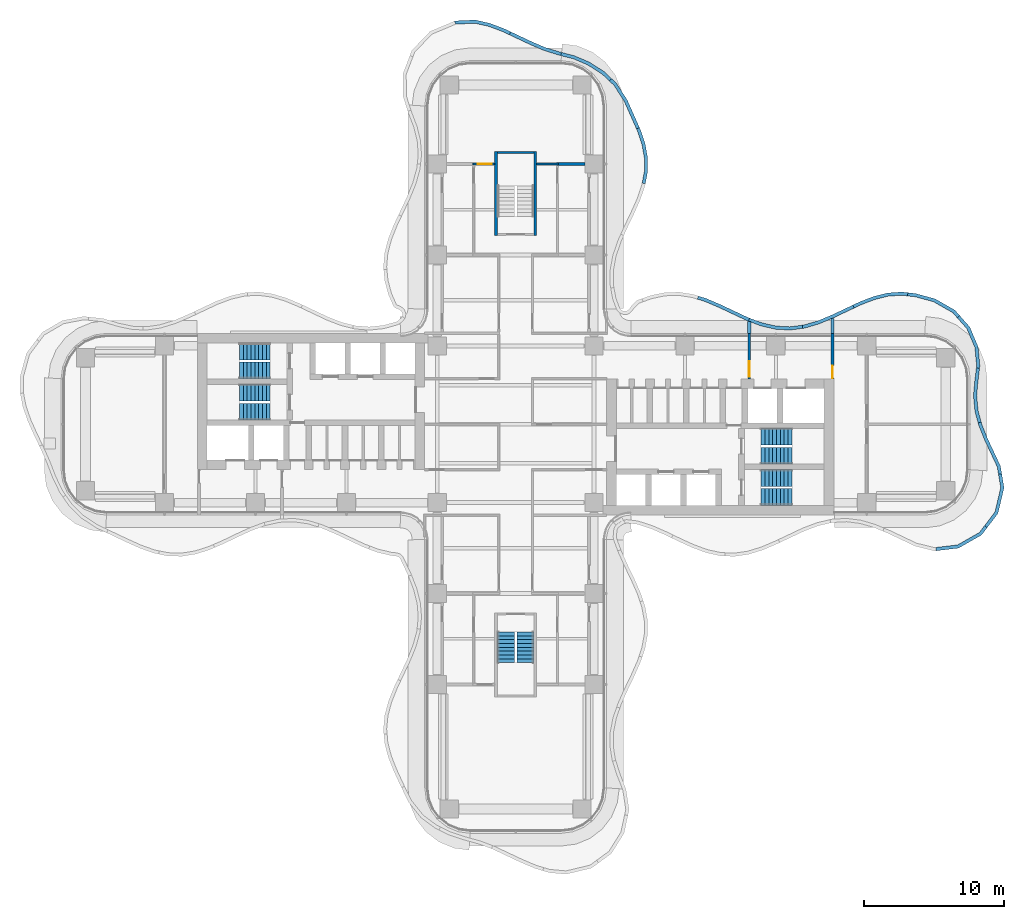
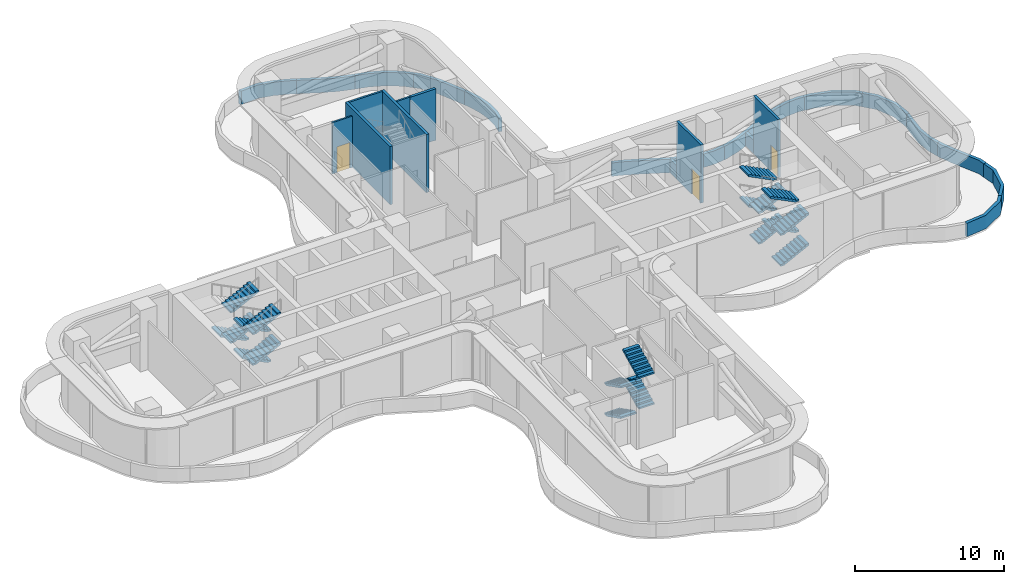
# One storey, part 17 of 20: 25 walls, 19 stair flights, 3 doors, 3 openings, 5 elements without a shape of their own.
"""IFC4 building model written with IfcOpenShell, lengths in metres."""

from ifc_helpers import new_model, si_unit, direction, frame, frame_2d, origin, place, context, subcontext, project, spatial, polyline, rectangle, outline, extrude, source, transform, mapped, material, layer, layer_set, type_object, element, fill, aggregate, save


model = new_model("IFC4")

# Units and contexts
model_context = context("Model", 3, precision=1e-05, world=origin(), true_north=direction((0.0, 1.0)))
body_context = subcontext(model_context, "Body", "Model", "MODEL_VIEW")
ifc_project = project(units=[si_unit("LENGTHUNIT", "METRE"), si_unit("AREAUNIT", "SQUARE_METRE"), si_unit("VOLUMEUNIT", "CUBIC_METRE"), si_unit("PLANEANGLEUNIT", "RADIAN"), si_unit("MASSUNIT", "GRAM", prefix="KILO")], contexts=[model_context])

# Site, building, storey
site_placement = place(None, origin())
site = spatial("IfcSite", under=ifc_project, at=site_placement, CompositionType="ELEMENT")
building_placement = place(site_placement, origin())
building = spatial("IfcBuilding", under=site, at=building_placement, Name="Trellis Farm Tower", CompositionType="ELEMENT")
storey_placement = place(building_placement, frame((0.0, 0.0, 92.5)))
storey = spatial("IfcBuildingStorey", under=building, at=storey_placement, Name="L19", CompositionType="ELEMENT", Elevation=92.5)

# Walls
ifc_material_1 = material(Name="Sandstone faced insulated wall", Category="masonry")
ifc_layer_1 = layer(ifc_material_1, 0.22509765625)
ifc_layer_set_1 = layer_set([ifc_layer_1], Name="PARAPET WALL 225")
wall_type_1 = type_object("IfcWallType", Name="PARAPET WALL 225", PredefinedType="PARAPET", material=ifc_layer_set_1)
wall_1_placement = place(storey_placement, frame((22.64990234375, 6.5, 0.0), z_axis=(0.0, 0.0, 1.0), x_axis=(0.0, 1.0, 0.0)))
element("IfcWall", 1, at=wall_1_placement, inside=storey, type_object=wall_type_1, Name="EW3 R01", PredefinedType="PARAPET", context=body_context, shape_type="SweptSolid", body=[
    extrude(rectangle(XDim=1.07568359375, YDim=0.22509765625, at=frame_2d((0.537841796875, 0.0))), origin(), (0.0, 0.0, 1.0), 1.10009765625),
])
wall_2_placement = place(storey_placement, frame((16.699951171875, 6.5, 0.0), z_axis=(0.0, 0.0, 1.0), x_axis=(0.0, 1.0, 0.0)))
element("IfcWall", 2, at=wall_2_placement, inside=storey, type_object=wall_type_1, Name="EW3 R02", PredefinedType="PARAPET", context=body_context, shape_type="SweptSolid", body=[
    extrude(rectangle(XDim=0.84228515625, YDim=0.22509765625, at=frame_2d((0.421142578125, 0.0))), origin(), (0.0, 0.0, 1.0), 1.10009765625),
])
placement = place(storey_placement, origin())
element("IfcWall", 3, at=placement, inside=storey, type_object=wall_type_1, Name="Parapet", PredefinedType="PARAPET", context=body_context, shape_type="SweptSolid", body=[
    extrude(outline(polyline([(-4.37548828125, 28.818115234375), (-4.353759765625, 28.8271484375), (-4.292724609375, 28.83837890625), (-2.914794921875, 28.90185546875), (-2.873779296875, 28.898193359375), (-1.8505859375, 28.6669921875), (-0.861572265625, 28.29736328125), (-0.355712890625, 28.05908203125), (-0.455810546875, 27.846435546875), (-0.957275390625, 28.08251953125), (-1.93017578125, 28.445556640625), (-2.919921875, 28.666259765625), (-4.278076171875, 28.603271484375), (-4.284912109375, 28.6005859375), (-4.37548828125, 28.818115234375)])), origin(), (0.0, 0.0, 1.0), 1.10009765625),
])
element("IfcWall", 4, at=placement, inside=storey, type_object=wall_type_1, Name="Parapet", PredefinedType="PARAPET", context=body_context, shape_type="SweptSolid", body=[
    extrude(outline(polyline([(-0.355712890625, 28.05908203125), (1.11328125, 27.3671875), (2.0966796875, 26.944091796875), (3.129150390625, 26.62353515625), (3.27880859375, 26.584716796875), (3.2197265625, 26.357421875), (3.05908203125, 26.399169921875), (2.009765625, 26.725830078125), (1.014892578125, 27.15380859375), (-0.455810546875, 27.846435546875), (-0.355712890625, 28.05908203125)])), origin(), (0.0, 0.0, 1.0), 1.10009765625),
])
element("IfcWall", 5, at=placement, inside=storey, type_object=wall_type_1, Name="Parapet", PredefinedType="PARAPET", context=body_context, shape_type="SweptSolid", body=[
    extrude(outline(polyline([(3.27880859375, 26.584716796875), (4.199951171875, 26.345458984375), (5.255859375, 25.8955078125), (6.298095703125, 25.23681640625), (6.851806640625, 24.71826171875), (6.691650390625, 24.547607421875), (6.162841796875, 25.044189453125), (5.159912109375, 25.680419921875), (4.13232421875, 26.1201171875), (3.2197265625, 26.357421875), (3.27880859375, 26.584716796875)])), origin(), (0.0, 0.0, 1.0), 1.10009765625),
])
element("IfcWall", 6, at=placement, inside=storey, type_object=wall_type_1, Name="Parapet", PredefinedType="PARAPET", context=body_context, shape_type="SweptSolid", body=[
    extrude(outline(polyline([(6.851806640625, 24.71826171875), (7.197021484375, 24.39501953125), (7.97900390625, 23.176513671875), (8.848876953125, 21.214111328125), (8.634033203125, 21.118896484375), (7.767578125, 23.0732421875), (7.025390625, 24.23388671875), (6.691650390625, 24.547607421875), (6.851806640625, 24.71826171875)])), origin(), (0.0, 0.0, 1.0), 1.10009765625),
])
element("IfcWall", 7, at=placement, inside=storey, type_object=wall_type_1, Name="Parapet", PredefinedType="PARAPET", context=body_context, shape_type="SweptSolid", body=[
    extrude(outline(polyline([(8.848876953125, 21.214111328125), (8.935546875, 21.0185546875), (9.26318359375, 20.02880859375), (9.43701171875, 19.03662109375), (9.4306640625, 18.037841796875), (9.273193359375, 17.19921875), (9.042236328125, 17.2431640625), (9.19580078125, 18.05029296875), (9.20361328125, 19.0068359375), (9.037353515625, 19.96337890625), (8.718505859375, 20.928466796875), (8.634033203125, 21.118896484375), (8.848876953125, 21.214111328125)])), origin(), (0.0, 0.0, 1.0), 1.10009765625),
])
element("IfcWall", 8, at=placement, inside=storey, type_object=wall_type_1, Name="Parapet", PredefinedType="PARAPET", context=body_context, shape_type="SweptSolid", body=[
    extrude(outline(polyline([(13.068603515625, 9.16552734375), (13.6494140625, 8.981689453125), (14.668212890625, 8.5439453125), (16.6416015625, 7.614990234375), (16.722412109375, 7.5849609375), (16.640380859375, 7.364990234375), (16.546142578125, 7.400146484375), (14.570068359375, 8.330322265625), (13.57275390625, 8.75927734375), (12.997802734375, 8.941650390625), (13.068603515625, 9.16552734375)])), origin(), (0.0, 0.0, 1.0), 1.10009765625),
])
element("IfcWall", 9, at=placement, inside=storey, type_object=wall_type_1, Name="Parapet", PredefinedType="PARAPET", context=body_context, shape_type="SweptSolid", body=[
    extrude(outline(polyline([(16.722412109375, 7.5849609375), (17.62646484375, 7.24853515625), (18.6123046875, 7.021728515625), (19.604736328125, 6.96728515625), (20.486083984375, 7.08251953125), (20.51708984375, 6.8505859375), (19.63720703125, 6.7333984375), (18.6015625, 6.785888671875), (17.5517578125, 7.025634765625), (16.640380859375, 7.364990234375), (16.722412109375, 7.5849609375)])), origin(), (0.0, 0.0, 1.0), 1.10009765625),
])
element("IfcWall", 10, at=placement, inside=storey, type_object=wall_type_1, Name="Parapet", PredefinedType="PARAPET", context=body_context, shape_type="SweptSolid", body=[
    extrude(outline(polyline([(20.486083984375, 7.08251953125), (20.61669921875, 7.099609375), (21.613037109375, 7.3955078125), (22.639892578125, 7.826416015625), (24.101806640625, 8.516357421875), (24.201904296875, 8.30419921875), (22.73779296875, 7.61279296875), (21.705322265625, 7.178955078125), (20.6748046875, 6.87158203125), (20.51708984375, 6.8505859375), (20.486083984375, 7.08251953125)])), origin(), (0.0, 0.0, 1.0), 1.10009765625),
])
element("IfcWall", 11, at=placement, inside=storey, type_object=wall_type_1, Name="Parapet", PredefinedType="PARAPET", context=body_context, shape_type="SweptSolid", body=[
    extrude(outline(polyline([(24.101806640625, 8.516357421875), (24.63623046875, 8.7685546875), (25.603515625, 9.139404296875), (26.59423828125, 9.383544921875), (27.58984375, 9.456298828125), (28.045654296875, 9.4052734375), (28.018798828125, 9.173095703125), (27.6025390625, 9.220947265625), (26.640380859375, 9.15283203125), (25.685302734375, 8.918701171875), (24.7216796875, 8.549560546875), (24.201904296875, 8.30419921875), (24.101806640625, 8.516357421875)])), origin(), (0.0, 0.0, 1.0), 1.10009765625),
])
element("IfcWall", 12, at=placement, inside=storey, type_object=wall_type_1, Name="Parapet", PredefinedType="PARAPET", context=body_context, shape_type="SweptSolid", body=[
    extrude(outline(polyline([(28.045654296875, 9.4052734375), (28.594970703125, 9.343994140625), (29.98388671875, 8.9658203125), (31.385986328125, 8.1650390625), (31.42529296875, 8.133056640625), (31.748291015625, 7.766845703125), (31.5712890625, 7.610107421875), (31.25244140625, 7.970703125), (29.87158203125, 8.7578125), (28.56494140625, 9.1103515625), (28.018798828125, 9.173095703125), (28.045654296875, 9.4052734375)])), origin(), (0.0, 0.0, 1.0), 1.10009765625),
])
element("IfcWall", 13, at=placement, inside=storey, type_object=wall_type_1, Name="Parapet", PredefinedType="PARAPET", context=body_context, shape_type="SweptSolid", body=[
    extrude(outline(polyline([(31.748291015625, 7.766845703125), (32.447265625, 6.974365234375), (32.4736328125, 6.932373046875), (33.05322265625, 5.568115234375), (33.06494140625, 5.522216796875), (33.1904296875, 4.18603515625), (33.167236328125, 3.992431640625), (32.936279296875, 4.0205078125), (32.955078125, 4.1767578125), (32.829833984375, 5.492919921875), (32.258544921875, 6.8330078125), (31.5712890625, 7.610107421875), (31.748291015625, 7.766845703125)])), origin(), (0.0, 0.0, 1.0), 1.10009765625),
])
element("IfcWall", 14, at=placement, inside=storey, type_object=wall_type_1, Name="Parapet", PredefinedType="PARAPET", context=body_context, shape_type="SweptSolid", body=[
    extrude(outline(polyline([(33.167236328125, 3.992431640625), (33.048583984375, 3.002685546875), (32.96337890625, 2.032958984375), (33.066650390625, 0.965087890625), (33.287109375, 0.155029296875), (33.06103515625, 0.09326171875), (32.837158203125, 0.9130859375), (32.728515625, 2.042724609375), (32.815185546875, 3.029296875), (32.936279296875, 4.0205078125), (33.167236328125, 3.992431640625)])), origin(), (0.0, 0.0, 1.0), 1.10009765625),
])
element("IfcWall", 15, at=placement, inside=storey, type_object=wall_type_1, Name="Parapet", PredefinedType="PARAPET", context=body_context, shape_type="SweptSolid", body=[
    extrude(outline(polyline([(33.287109375, 0.155029296875), (33.334716796875, -0.019775390625), (33.72021484375, -0.9814453125), (34.65087890625, -2.966796875), (34.663330078125, -3.006591796875), (34.75341796875, -3.544921875), (34.520751953125, -3.583984375), (34.431396484375, -3.052001953125), (33.50341796875, -1.072021484375), (33.1142578125, -0.100830078125), (33.06103515625, 0.09326171875), (33.287109375, 0.155029296875)])), origin(), (0.0, 0.0, 1.0), 1.10009765625),
])
element("IfcWall", 16, at=placement, inside=storey, type_object=wall_type_1, Name="Parapet", PredefinedType="PARAPET", context=body_context, shape_type="SweptSolid", body=[
    extrude(outline(polyline([(34.75341796875, -3.544921875), (34.91455078125, -4.506103515625), (34.9091796875, -4.5751953125), (34.4892578125, -6.35009765625), (34.454833984375, -6.4150390625), (33.71337890625, -7.38916015625), (33.527587890625, -7.248046875), (34.260009765625, -6.282958984375), (34.27392578125, -6.253662109375), (34.678955078125, -4.525634765625), (34.520751953125, -3.583984375), (34.75341796875, -3.544921875)])), origin(), (0.0, 0.0, 1.0), 1.10009765625),
])
element("IfcWall", 17, at=placement, inside=storey, type_object=wall_type_1, Name="Parapet", PredefinedType="PARAPET", context=body_context, shape_type="SweptSolid", body=[
    extrude(outline(polyline([(33.71337890625, -7.38916015625), (33.32470703125, -7.89990234375), (33.26904296875, -7.944580078125), (31.68359375, -8.842529296875), (31.615966796875, -8.86181640625), (30.069091796875, -9.046142578125), (30.04150390625, -8.80810546875), (31.576416015625, -8.629638671875), (31.605712890625, -8.6201171875), (33.160888671875, -7.73095703125), (33.527587890625, -7.248046875), (33.71337890625, -7.38916015625)])), origin(), (0.0, 0.0, 1.0), 1.10009765625),
])

# Wall, opening, door
ifc_material_2 = material(Name="Masonry blockwork", Category="masonry")
ifc_layer_2 = layer(ifc_material_2, 0.199951171875)
ifc_layer_set_2 = layer_set([ifc_layer_2], Name="FIRE LOBBY PARTITION 200 BLOCKWORK")
wall_type_2 = type_object("IfcWallType", Name="FIRE LOBBY PARTITION 200 BLOCKWORK", PredefinedType="PARTITIONING", material=ifc_layer_set_2)
shared_shape_1 = source(origin(), body_context, "Body", "SweptSolid", [
    extrude(rectangle(XDim=3.25, YDim=0.199951171875, at=frame_2d((1.625, 0.0))), origin(), (0.0, 0.0, 1.0), 4.75),
])
wall_18_placement = place(storey_placement, frame((16.699951171875, 3.25, 0.0), z_axis=(0.0, 0.0, 1.0), x_axis=(0.0, 1.0, 0.0)))
wall_18 = element("IfcWall", 18, at=wall_18_placement, inside=storey, type_object=wall_type_2, Name="Fire-fighting lobby partition", PredefinedType="PARTITIONING", context=body_context, shape_type="MappedRepresentation", body=[
    mapped(shared_shape_1, transform((0.0, 0.0, 0.0))),
])
shared_shape_2 = source(origin(), body_context, "Body", "SweptSolid", [
    extrude(rectangle(XDim=1.10009765625, YDim=2.10009765625, at=frame_2d((0.550048828125, 1.050048828125))), frame((0.0, 0.110107421875, 0.0), z_axis=(0.0, -1.0, 0.0), x_axis=(1.0, 0.0, 0.0)), (0.0, 0.0, 1.0), 0.22021484375),
])
opening_1_placement = place(wall_18_placement, frame((0.14990234375, 0.0, 0.0)))
opening_1 = element("IfcOpeningElement", 19, at=opening_1_placement, cuts=wall_18, Name="Opening DC7", PredefinedType="OPENING", context=body_context, shape_type="MappedRepresentation", body=[
    mapped(shared_shape_2, transform((0.0, 0.0, 0.0))),
])
ifc_material_3 = material(Name="Steel", Category="steel")
door_type_1 = type_object("IfcDoorType", Name="CORE FIRE DOOR 1100 X 2100", OperationType="NOTDEFINED", PredefinedType="DOOR", material=ifc_material_3)
shared_shape_3 = source(origin(), body_context, "Body", "SweptSolid", [
    extrude(rectangle(XDim=1.10009765625, YDim=2.10009765625, at=frame_2d((0.550048828125, 1.050048828125))), frame((0.0, 0.02490234375, 0.0), z_axis=(0.0, -1.0, 0.0), x_axis=(1.0, 0.0, 0.0)), (0.0, 0.0, 1.0), 0.050048828125),
])
door_1_placement = place(opening_1_placement, origin())
door_1 = element("IfcDoor", 20, at=door_1_placement, inside=storey, type_object=door_type_1, Name="Core door", OperationType="SINGLE_SWING_RIGHT", OverallHeight=2.10009765625, OverallWidth=1.10009765625, PredefinedType="DOOR", context=body_context, shape_type="MappedRepresentation", body=[
    mapped(shared_shape_3, transform((0.0, 0.0, 0.0))),
])
fill(opening_1, door_1)

wall_19_placement = place(storey_placement, frame((22.64990234375, 3.25, 0.0), z_axis=(0.0, 0.0, 1.0), x_axis=(0.0, 1.0, 0.0)))
wall_19 = element("IfcWall", 21, at=wall_19_placement, inside=storey, type_object=wall_type_2, Name="Fire-fighting lobby partition", PredefinedType="PARTITIONING", context=body_context, shape_type="MappedRepresentation", body=[
    mapped(shared_shape_1, transform((0.0, 0.0, 0.0))),
])
shared_shape_4 = source(origin(), body_context, "Body", "SweptSolid", [
    extrude(rectangle(XDim=0.89990234375, YDim=2.10009765625, at=frame_2d((0.449951171875, 1.050048828125))), frame((0.0, 0.110107421875, 0.0), z_axis=(0.0, -1.0, 0.0), x_axis=(1.0, 0.0, 0.0)), (0.0, 0.0, 1.0), 0.22021484375),
])
opening_2_placement = place(wall_19_placement, frame((0.050048828125, 0.0, 0.0)))
opening_2 = element("IfcOpeningElement", 22, at=opening_2_placement, cuts=wall_19, Name="Opening DC8", PredefinedType="OPENING", context=body_context, shape_type="MappedRepresentation", body=[
    mapped(shared_shape_4, transform((0.0, 0.0, 0.0))),
])
door_type_2 = type_object("IfcDoorType", Name="CORE FIRE DOOR 900 X 2100", OperationType="NOTDEFINED", PredefinedType="DOOR", material=ifc_material_3)
shared_shape_5 = source(origin(), body_context, "Body", "SweptSolid", [
    extrude(rectangle(XDim=0.89990234375, YDim=2.10009765625, at=frame_2d((0.449951171875, 1.050048828125))), frame((0.0, 0.02490234375, 0.0), z_axis=(0.0, -1.0, 0.0), x_axis=(1.0, 0.0, 0.0)), (0.0, 0.0, 1.0), 0.050048828125),
])
door_2_placement = place(opening_2_placement, origin())
door_2 = element("IfcDoor", 23, at=door_2_placement, inside=storey, type_object=door_type_2, Name="Core door", OperationType="SINGLE_SWING_RIGHT", OverallHeight=2.10009765625, OverallWidth=0.89990234375, PredefinedType="DOOR", context=body_context, shape_type="MappedRepresentation", body=[
    mapped(shared_shape_5, transform((0.0, 0.0, 0.0))),
])
fill(opening_2, door_2)

# Walls
ifc_material_4 = material(Name="Concrete C80/95", Category="concrete")
ifc_layer_3 = layer(ifc_material_4, 0.199951171875)
ifc_layer_set_3 = layer_set([ifc_layer_3], Name="CORE STAIR ENCLOSURE WALL 200 CONCRETE C80/95")
wall_type_3 = type_object("IfcWallType", Name="CORE STAIR ENCLOSURE WALL 200 CONCRETE C80/95", PredefinedType="SHEAR", material=ifc_layer_set_3)
shared_shape_6 = source(origin(), body_context, "Body", "SweptSolid", [
    extrude(rectangle(XDim=6.0, YDim=0.199951171875, at=frame_2d((3.0, 0.0))), origin(), (0.0, 0.0, 1.0), 4.75),
])
for number, where, z_axis, x_axis, name in (
    (24, (-1.39990234375, 13.5, 0.0), (0.0, 0.0, 1.0), (0.0, 1.0, 0.0), "Stair enclosure wall"),
    (25, (1.39990234375, 13.5, 0.0), (0.0, 0.0, 1.0), (0.0, 1.0, 0.0), "Stair enclosure wall"),
):
    element("IfcWall", number, at=place(storey_placement, frame(where, z_axis=z_axis, x_axis=x_axis)), inside=storey, type_object=wall_type_3, Name=name, PredefinedType="SHEAR", context=body_context, shape_type="MappedRepresentation", body=[
        mapped(shared_shape_6, transform((0.0, 0.0, 0.0))),
    ])
ifc_layer_4 = layer(ifc_material_4, 0.14990234375)
ifc_layer_set_4 = layer_set([ifc_layer_4], Name="CORE STAIR ENCLOSURE WALL 150 CONCRETE C80/95")
wall_type_4 = type_object("IfcWallType", Name="CORE STAIR ENCLOSURE WALL 150 CONCRETE C80/95", PredefinedType="SHEAR", material=ifc_layer_set_4)
shared_shape_7 = source(origin(), body_context, "Body", "SweptSolid", [
    extrude(rectangle(XDim=2.60009765625, YDim=0.14990234375, at=frame_2d((1.300048828125, 0.0))), origin(), (0.0, 0.0, 1.0), 4.75),
])
wall_20_placement = place(storey_placement, frame((-1.300048828125, 19.425048828125, 0.0), z_axis=(0.0, 0.0, 1.0), x_axis=(1.0, 0.0, 0.0)))
element("IfcWall", 26, at=wall_20_placement, inside=storey, type_object=wall_type_4, Name="Stair enclosure wall", PredefinedType="SHEAR", context=body_context, shape_type="MappedRepresentation", body=[
    mapped(shared_shape_7, transform((0.0, 0.0, 0.0))),
])
ifc_material_5 = material(Name="Lightweight blockwork, plastered", Category="masonry")
ifc_layer_5 = layer(ifc_material_5, 0.199951171875)
ifc_layer_set_5 = layer_set([ifc_layer_5], Name="BLOCK WALL 200 EI 120")
wall_type_5 = type_object("IfcWallType", Name="BLOCK WALL 200 EI 120", PredefinedType="PARTITIONING", material=ifc_layer_set_5)
shared_shape_8 = source(origin(), body_context, "Body", "SweptSolid", [
    extrude(rectangle(XDim=2.012451171875, YDim=0.199951171875, at=frame_2d((1.00634765625, 0.0))), origin(), (0.0, 0.0, 1.0), 4.197021484375),
])
wall_21_placement = place(storey_placement, frame((2.9375, 18.60009765625, 0.0), z_axis=(0.0, 0.0, 1.0), x_axis=(1.0, 0.0, 0.0)))
element("IfcWall", 27, at=wall_21_placement, inside=storey, type_object=wall_type_5, Name="Partition PW3", PredefinedType="PARTITIONING", context=body_context, shape_type="MappedRepresentation", body=[
    mapped(shared_shape_8, transform((0.0, 0.0, 0.0))),
])

# Wall, opening, door
ifc_material_6 = material(Name="Plasterboard on steel studs, mineral wool", Category="steel")
ifc_layer_6 = layer(ifc_material_6, 0.125)
ifc_layer_set_6 = layer_set([ifc_layer_6], Name="PARTITION 125 STUD EI 60")
wall_type_6 = type_object("IfcWallType", Name="PARTITION 125 STUD EI 60", PredefinedType="PARTITIONING", material=ifc_layer_set_6)
shared_shape_9 = source(origin(), body_context, "Body", "SweptSolid", [
    extrude(rectangle(XDim=1.5625, YDim=0.125, at=frame_2d((0.78125, 0.0))), origin(), (0.0, 0.0, 1.0), 4.197021484375),
])
wall_22_placement = place(storey_placement, frame((-3.0625, 18.60009765625, 0.0), z_axis=(0.0, 0.0, 1.0), x_axis=(1.0, 0.0, 0.0)))
wall_22 = element("IfcWall", 28, at=wall_22_placement, inside=storey, type_object=wall_type_6, Name="Partition PW1", PredefinedType="PARTITIONING", context=body_context, shape_type="MappedRepresentation", body=[
    mapped(shared_shape_9, transform((0.0, 0.0, 0.0))),
])
shared_shape_10 = source(origin(), body_context, "Body", "SweptSolid", [
    extrude(rectangle(XDim=1.0, YDim=2.10009765625, at=frame_2d((0.5, 1.050048828125))), frame((0.0, 0.072509765625, 0.0), z_axis=(0.0, -1.0, 0.0), x_axis=(1.0, 0.0, 0.0)), (0.0, 0.0, 1.0), 0.14501953125),
])
opening_3_placement = place(wall_22_placement, frame((0.362548828125, 0.0, 0.0)))
opening_3 = element("IfcOpeningElement", 29, at=opening_3_placement, cuts=wall_22, Name="Opening D112", PredefinedType="OPENING", context=body_context, shape_type="MappedRepresentation", body=[
    mapped(shared_shape_10, transform((0.0, 0.0, 0.0))),
])
ifc_material_7 = material(Name="Fire-rated timber door leaf in a hollow metal frame", Category="wood")
door_type_3 = type_object("IfcDoorType", Name="DOOR 1000x2100 FD30S", OperationType="NOTDEFINED", PredefinedType="DOOR", material=ifc_material_7)
shared_shape_11 = source(origin(), body_context, "Body", "SweptSolid", [
    extrude(rectangle(XDim=1.0, YDim=2.10009765625, at=frame_2d((0.5, 1.050048828125))), frame((0.0, 0.02490234375, 0.0), z_axis=(0.0, -1.0, 0.0), x_axis=(1.0, 0.0, 0.0)), (0.0, 0.0, 1.0), 0.050048828125),
])
door_3_placement = place(opening_3_placement, origin())
door_3 = element("IfcDoor", 30, at=door_3_placement, inside=storey, type_object=door_type_3, Name="Door D112", OperationType="SINGLE_SWING_RIGHT", OverallHeight=2.10009765625, OverallWidth=1.0, PredefinedType="DOOR", context=body_context, shape_type="MappedRepresentation", body=[
    mapped(shared_shape_11, transform((0.0, 0.0, 0.0))),
])
fill(opening_3, door_3)

# Wall
wall_23_placement = place(storey_placement, frame((1.5, 18.60009765625, 0.0), z_axis=(0.0, 0.0, 1.0), x_axis=(1.0, 0.0, 0.0)))
element("IfcWall", 31, at=wall_23_placement, inside=storey, type_object=wall_type_6, Name="Partition PW1", PredefinedType="PARTITIONING", context=body_context, shape_type="MappedRepresentation", body=[
    mapped(shared_shape_9, transform((0.0, 0.0, 0.0))),
])

# Stair, stair flights
ifc_material_8 = material(Name="Concrete C50/60", Category="concrete")
stair_type = type_object("IfcStairType", Name="CORE EXIT STAIR 36 RISERS 139 MM", PredefinedType="HALF_TURN_STAIR", material=ifc_material_8)
stair_1 = element("IfcStair", 32, at=placement, inside=storey, type_object=stair_type, Name="Exit stair S", PredefinedType="HALF_TURN_STAIR")
stair_flight_type = type_object("IfcStairFlightType", Name="STAIR FLIGHT 9 RISERS 139 MM", PredefinedType="STRAIGHT", material=ifc_material_8)
shared_shape_12 = source(origin(), body_context, "Body", "SweptSolid", [
    extrude(outline(polyline([(0.0, 0.0), (0.0, 0.138916015625), (0.27490234375, 0.138916015625), (0.27490234375, 0.27783203125), (0.550048828125, 0.27783203125), (0.550048828125, 0.416748046875), (0.824951171875, 0.416748046875), (0.824951171875, 0.5556640625), (1.10009765625, 0.5556640625), (1.10009765625, 0.6943359375), (1.375, 0.6943359375), (1.375, 0.833251953125), (1.64990234375, 0.833251953125), (1.64990234375, 0.97216796875), (1.925048828125, 0.97216796875), (1.925048828125, 1.111083984375), (2.199951171875, 1.111083984375), (2.199951171875, 1.25), (2.199951171875, 0.965576171875), (0.2880859375, 0.0), (0.0, 0.0)])), frame((0.0, 0.60009765625, 0.0), z_axis=(0.0, -1.0, 0.0), x_axis=(1.0, 0.0, 0.0)), (0.0, 0.0, 1.0), 1.199951171875),
])
stair_flight_1_placement = place(storey_placement, frame((-0.699951171875, -14.85009765625, 0.0), z_axis=(0.0, 0.0, 1.0), x_axis=(0.0, -1.0, 0.0)))
stair_flight_1 = element("IfcStairFlight", 33, at=stair_flight_1_placement, type_object=stair_flight_type, Name="STS flight 1", NumberOfRisers=9, NumberOfTreads=8, PredefinedType="STRAIGHT", RiserHeight=0.138888889, TreadLength=0.275, context=body_context, shape_type="MappedRepresentation", body=[
    mapped(shared_shape_12, transform((0.0, 0.0, 0.0))),
])
stair_flight_2_placement = place(storey_placement, frame((0.699951171875, -17.050048828125, 1.25), z_axis=(0.0, 0.0, 1.0), x_axis=(0.0, 1.0, 0.0)))
stair_flight_2 = element("IfcStairFlight", 34, at=stair_flight_2_placement, type_object=stair_flight_type, Name="STS flight 2", NumberOfRisers=9, NumberOfTreads=8, PredefinedType="STRAIGHT", RiserHeight=0.138888889, TreadLength=0.275, context=body_context, shape_type="MappedRepresentation", body=[
    mapped(shared_shape_12, transform((0.0, 0.0, 0.0))),
])
stair_flight_3_placement = place(storey_placement, frame((-0.699951171875, -14.85009765625, 2.5), z_axis=(0.0, 0.0, 1.0), x_axis=(0.0, -1.0, 0.0)))
stair_flight_3 = element("IfcStairFlight", 35, at=stair_flight_3_placement, type_object=stair_flight_type, Name="STS flight 3", NumberOfRisers=9, NumberOfTreads=8, PredefinedType="STRAIGHT", RiserHeight=0.138888889, TreadLength=0.275, context=body_context, shape_type="MappedRepresentation", body=[
    mapped(shared_shape_12, transform((0.0, 0.0, 0.0))),
])
stair_flight_4_placement = place(storey_placement, frame((0.699951171875, -17.050048828125, 3.75), z_axis=(0.0, 0.0, 1.0), x_axis=(0.0, 1.0, 0.0)))
stair_flight_4 = element("IfcStairFlight", 36, at=stair_flight_4_placement, type_object=stair_flight_type, Name="STS flight 4", NumberOfRisers=9, NumberOfTreads=8, PredefinedType="STRAIGHT", RiserHeight=0.138888889, TreadLength=0.275, context=body_context, shape_type="MappedRepresentation", body=[
    mapped(shared_shape_12, transform((0.0, 0.0, 0.0))),
])
aggregate(stair_1, [stair_flight_1, stair_flight_2, stair_flight_3, stair_flight_4])

stair_2 = element("IfcStair", 37, at=placement, inside=storey, type_object=stair_type, Name="Exit stair E1", PredefinedType="HALF_TURN_STAIR")
stair_flight_5_placement = place(storey_placement, frame((17.550048828125, -5.199951171875, 0.0), z_axis=(0.0, 0.0, 1.0), x_axis=(1.0, 0.0, 0.0)))
stair_flight_5 = element("IfcStairFlight", 38, at=stair_flight_5_placement, type_object=stair_flight_type, Name="STE1 flight 1", NumberOfRisers=9, NumberOfTreads=8, PredefinedType="STRAIGHT", RiserHeight=0.138888889, TreadLength=0.275, context=body_context, shape_type="MappedRepresentation", body=[
    mapped(shared_shape_12, transform((0.0, 0.0, 0.0))),
])
stair_flight_6_placement = place(storey_placement, frame((19.75, -3.85009765625, 1.25), z_axis=(0.0, 0.0, 1.0), x_axis=(-1.0, 0.0, 0.0)))
stair_flight_6 = element("IfcStairFlight", 39, at=stair_flight_6_placement, type_object=stair_flight_type, Name="STE1 flight 2", NumberOfRisers=9, NumberOfTreads=8, PredefinedType="STRAIGHT", RiserHeight=0.138888889, TreadLength=0.275, context=body_context, shape_type="MappedRepresentation", body=[
    mapped(shared_shape_12, transform((0.0, 0.0, 0.0))),
])
stair_flight_7_placement = place(storey_placement, frame((17.550048828125, -5.199951171875, 2.5), z_axis=(0.0, 0.0, 1.0), x_axis=(1.0, 0.0, 0.0)))
stair_flight_7 = element("IfcStairFlight", 40, at=stair_flight_7_placement, type_object=stair_flight_type, Name="STE1 flight 3", NumberOfRisers=9, NumberOfTreads=8, PredefinedType="STRAIGHT", RiserHeight=0.138888889, TreadLength=0.275, context=body_context, shape_type="MappedRepresentation", body=[
    mapped(shared_shape_12, transform((0.0, 0.0, 0.0))),
])
stair_flight_8_placement = place(storey_placement, frame((19.75, -3.85009765625, 3.75), z_axis=(0.0, 0.0, 1.0), x_axis=(-1.0, 0.0, 0.0)))
stair_flight_8 = element("IfcStairFlight", 41, at=stair_flight_8_placement, type_object=stair_flight_type, Name="STE1 flight 4", NumberOfRisers=9, NumberOfTreads=8, PredefinedType="STRAIGHT", RiserHeight=0.138888889, TreadLength=0.275, context=body_context, shape_type="MappedRepresentation", body=[
    mapped(shared_shape_12, transform((0.0, 0.0, 0.0))),
])
aggregate(stair_2, [stair_flight_5, stair_flight_6, stair_flight_7, stair_flight_8])

stair_3 = element("IfcStair", 42, at=placement, inside=storey, type_object=stair_type, Name="Exit stair E2", PredefinedType="HALF_TURN_STAIR")
stair_flight_9_placement = place(storey_placement, frame((17.550048828125, -2.25, 0.0), z_axis=(0.0, 0.0, 1.0), x_axis=(1.0, 0.0, 0.0)))
stair_flight_9 = element("IfcStairFlight", 43, at=stair_flight_9_placement, type_object=stair_flight_type, Name="STE2 flight 1", NumberOfRisers=9, NumberOfTreads=8, PredefinedType="STRAIGHT", RiserHeight=0.138888889, TreadLength=0.275, context=body_context, shape_type="MappedRepresentation", body=[
    mapped(shared_shape_12, transform((0.0, 0.0, 0.0))),
])
stair_flight_10_placement = place(storey_placement, frame((19.75, -0.89990234375, 1.25), z_axis=(0.0, 0.0, 1.0), x_axis=(-1.0, 0.0, 0.0)))
stair_flight_10 = element("IfcStairFlight", 44, at=stair_flight_10_placement, type_object=stair_flight_type, Name="STE2 flight 2", NumberOfRisers=9, NumberOfTreads=8, PredefinedType="STRAIGHT", RiserHeight=0.138888889, TreadLength=0.275, context=body_context, shape_type="MappedRepresentation", body=[
    mapped(shared_shape_12, transform((0.0, 0.0, 0.0))),
])
stair_flight_11_placement = place(storey_placement, frame((17.550048828125, -2.25, 2.5), z_axis=(0.0, 0.0, 1.0), x_axis=(1.0, 0.0, 0.0)))
stair_flight_11 = element("IfcStairFlight", 45, at=stair_flight_11_placement, type_object=stair_flight_type, Name="STE2 flight 3", NumberOfRisers=9, NumberOfTreads=8, PredefinedType="STRAIGHT", RiserHeight=0.138888889, TreadLength=0.275, context=body_context, shape_type="MappedRepresentation", body=[
    mapped(shared_shape_12, transform((0.0, 0.0, 0.0))),
])
stair_flight_12_placement = place(storey_placement, frame((19.75, -0.89990234375, 3.75), z_axis=(0.0, 0.0, 1.0), x_axis=(-1.0, 0.0, 0.0)))
stair_flight_12 = element("IfcStairFlight", 46, at=stair_flight_12_placement, type_object=stair_flight_type, Name="STE2 flight 4", NumberOfRisers=9, NumberOfTreads=8, PredefinedType="STRAIGHT", RiserHeight=0.138888889, TreadLength=0.275, context=body_context, shape_type="MappedRepresentation", body=[
    mapped(shared_shape_12, transform((0.0, 0.0, 0.0))),
])
aggregate(stair_3, [stair_flight_9, stair_flight_10, stair_flight_11, stair_flight_12])

stair_4 = element("IfcStair", 47, at=placement, inside=storey, type_object=stair_type, Name="Exit stair W1", PredefinedType="HALF_TURN_STAIR")
stair_flight_13_placement = place(storey_placement, frame((-17.550048828125, 5.199951171875, 0.0), z_axis=(0.0, 0.0, 1.0), x_axis=(-1.0, 0.0, 0.0)))
stair_flight_13 = element("IfcStairFlight", 48, at=stair_flight_13_placement, type_object=stair_flight_type, Name="STW1 flight 1", NumberOfRisers=9, NumberOfTreads=8, PredefinedType="STRAIGHT", RiserHeight=0.138888889, TreadLength=0.275, context=body_context, shape_type="MappedRepresentation", body=[
    mapped(shared_shape_12, transform((0.0, 0.0, 0.0))),
])
stair_flight_14_placement = place(storey_placement, frame((-19.75, 3.85009765625, 1.25), z_axis=(0.0, 0.0, 1.0), x_axis=(1.0, 0.0, 0.0)))
stair_flight_14 = element("IfcStairFlight", 49, at=stair_flight_14_placement, type_object=stair_flight_type, Name="STW1 flight 2", NumberOfRisers=9, NumberOfTreads=8, PredefinedType="STRAIGHT", RiserHeight=0.138888889, TreadLength=0.275, context=body_context, shape_type="MappedRepresentation", body=[
    mapped(shared_shape_12, transform((0.0, 0.0, 0.0))),
])
stair_flight_15_placement = place(storey_placement, frame((-19.75, 3.85009765625, 3.75), z_axis=(0.0, 0.0, 1.0), x_axis=(1.0, 0.0, 0.0)))
stair_flight_15 = element("IfcStairFlight", 50, at=stair_flight_15_placement, type_object=stair_flight_type, Name="STW1 flight 4", NumberOfRisers=9, NumberOfTreads=8, PredefinedType="STRAIGHT", RiserHeight=0.138888889, TreadLength=0.275, context=body_context, shape_type="MappedRepresentation", body=[
    mapped(shared_shape_12, transform((0.0, 0.0, 0.0))),
])
aggregate(stair_4, [stair_flight_13, stair_flight_14, stair_flight_15])

stair_5 = element("IfcStair", 51, at=placement, inside=storey, type_object=stair_type, Name="Exit stair W2", PredefinedType="HALF_TURN_STAIR")
stair_flight_16_placement = place(storey_placement, frame((-17.550048828125, 2.25, 0.0), z_axis=(0.0, 0.0, 1.0), x_axis=(-1.0, 0.0, 0.0)))
stair_flight_16 = element("IfcStairFlight", 52, at=stair_flight_16_placement, type_object=stair_flight_type, Name="STW2 flight 1", NumberOfRisers=9, NumberOfTreads=8, PredefinedType="STRAIGHT", RiserHeight=0.138888889, TreadLength=0.275, context=body_context, shape_type="MappedRepresentation", body=[
    mapped(shared_shape_12, transform((0.0, 0.0, 0.0))),
])
stair_flight_17_placement = place(storey_placement, frame((-19.75, 0.89990234375, 1.25), z_axis=(0.0, 0.0, 1.0), x_axis=(1.0, 0.0, 0.0)))
stair_flight_17 = element("IfcStairFlight", 53, at=stair_flight_17_placement, type_object=stair_flight_type, Name="STW2 flight 2", NumberOfRisers=9, NumberOfTreads=8, PredefinedType="STRAIGHT", RiserHeight=0.138888889, TreadLength=0.275, context=body_context, shape_type="MappedRepresentation", body=[
    mapped(shared_shape_12, transform((0.0, 0.0, 0.0))),
])
stair_flight_18_placement = place(storey_placement, frame((-17.550048828125, 2.25, 2.5), z_axis=(0.0, 0.0, 1.0), x_axis=(-1.0, 0.0, 0.0)))
stair_flight_18 = element("IfcStairFlight", 54, at=stair_flight_18_placement, type_object=stair_flight_type, Name="STW2 flight 3", NumberOfRisers=9, NumberOfTreads=8, PredefinedType="STRAIGHT", RiserHeight=0.138888889, TreadLength=0.275, context=body_context, shape_type="MappedRepresentation", body=[
    mapped(shared_shape_12, transform((0.0, 0.0, 0.0))),
])
stair_flight_19_placement = place(storey_placement, frame((-19.75, 0.89990234375, 3.75), z_axis=(0.0, 0.0, 1.0), x_axis=(1.0, 0.0, 0.0)))
stair_flight_19 = element("IfcStairFlight", 55, at=stair_flight_19_placement, type_object=stair_flight_type, Name="STW2 flight 4", NumberOfRisers=9, NumberOfTreads=8, PredefinedType="STRAIGHT", RiserHeight=0.138888889, TreadLength=0.275, context=body_context, shape_type="MappedRepresentation", body=[
    mapped(shared_shape_12, transform((0.0, 0.0, 0.0))),
])
aggregate(stair_5, [stair_flight_16, stair_flight_17, stair_flight_18, stair_flight_19])

save(model, "model.ifc")
